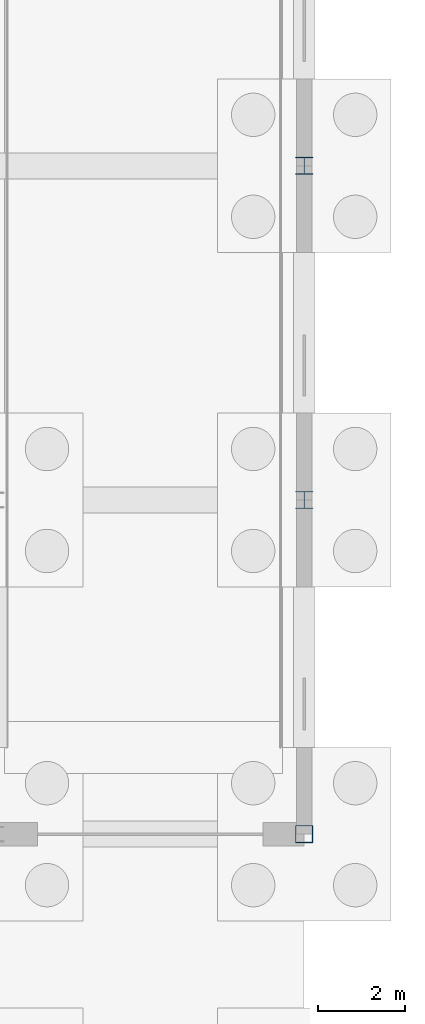
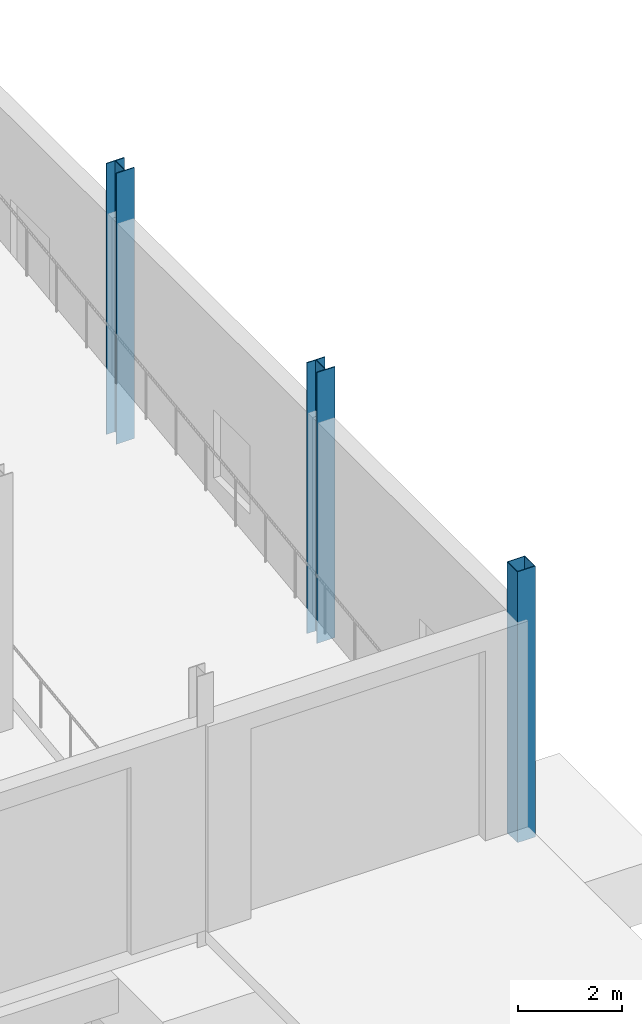
# One storey, part 38 of 139: 3 columns.
"""IFC4 building model written with IfcOpenShell, lengths in metres."""

from ifc_helpers import new_model, si_unit, direction, frame, origin, origin_2d, place, context, subcontext, project, spatial, hollow_rectangle, i_section, extrude, material, material_profile, profile_set, type_object, element, save


model = new_model("IFC4")

# Units and contexts
model_context = context("Model", 3, precision=1e-05, world=origin(), true_north=direction((0.0, 1.0)))
body_context = subcontext(model_context, "Body", "Model", "MODEL_VIEW")
ifc_project = project(units=[si_unit("LENGTHUNIT", "METRE"), si_unit("AREAUNIT", "SQUARE_METRE"), si_unit("VOLUMEUNIT", "CUBIC_METRE"), si_unit("PLANEANGLEUNIT", "RADIAN"), si_unit("MASSUNIT", "GRAM", prefix="KILO")], contexts=[model_context])

# Site, building, storey
site_placement = place(None, origin())
site = spatial("IfcSite", under=ifc_project, at=site_placement, CompositionType="ELEMENT")
building_placement = place(site_placement, origin())
building = spatial("IfcBuilding", under=site, at=building_placement, Name="Kazenagashi Tramway Depot", CompositionType="ELEMENT")
storey_placement = place(building_placement, origin())
storey = spatial("IfcBuildingStorey", under=building, at=storey_placement, Name="L01", CompositionType="ELEMENT", Elevation=0.0)

# Columns
ifc_material_1 = material(Name="Steel SN490B", Category="steel")
ifc_material_profile_1 = material_profile(ifc_material_1, i_section(OverallWidth=0.4, OverallDepth=0.4, WebThickness=0.013, FlangeThickness=0.021, at=origin_2d()), Name="H-400x400x13x21")
ifc_profile_set_1 = profile_set([ifc_material_profile_1], Name="Steel SN490B")
column_type_1 = type_object("IfcColumnType", Name="C-03", PredefinedType="COLUMN", material=ifc_profile_set_1)
for number, where, z_axis, x_axis, name in (
    (1, (196.0, 7.7, -0.35), (0.0, 0.0, 1.0), (1.0, 0.0, 0.0), "Column C-03 COL-0506"),
    (2, (196.0, 15.4, -0.35), (0.0, 0.0, 1.0), (1.0, 0.0, 0.0), "Column C-03 COL-0508"),
):
    element("IfcColumn", number, at=place(storey_placement, frame(where, z_axis=z_axis, x_axis=x_axis)), inside=storey, type_object=column_type_1, Name=name, PredefinedType="COLUMN", context=body_context, shape_type="SweptSolid", body=[
        extrude(i_section(OverallWidth=0.4, OverallDepth=0.4, WebThickness=0.013, FlangeThickness=0.021, at=origin_2d()), origin(), (0.0, 0.0, 1.0), 6.35),
    ])
ifc_material_2 = material(Name="Steel STKR490", Category="steel")
ifc_material_profile_2 = material_profile(ifc_material_2, hollow_rectangle(XDim=0.4, YDim=0.4, WallThickness=0.016, at=origin_2d()), Name="SHS-400x400x16")
ifc_profile_set_2 = profile_set([ifc_material_profile_2], Name="Steel STKR490")
column_type_2 = type_object("IfcColumnType", Name="C-16", PredefinedType="COLUMN", material=ifc_profile_set_2)
column_placement = place(storey_placement, frame((196.0, 0.0, -0.35), z_axis=(0.0, 0.0, 1.0), x_axis=(1.0, 0.0, 0.0)))
element("IfcColumn", 3, at=column_placement, inside=storey, type_object=column_type_2, Name="Column C-16 COL-0504", PredefinedType="COLUMN", context=body_context, shape_type="SweptSolid", body=[
    extrude(hollow_rectangle(XDim=0.4, YDim=0.4, WallThickness=0.016, at=origin_2d()), origin(), (0.0, 0.0, 1.0), 6.35),
])

save(model, "model.ifc")
